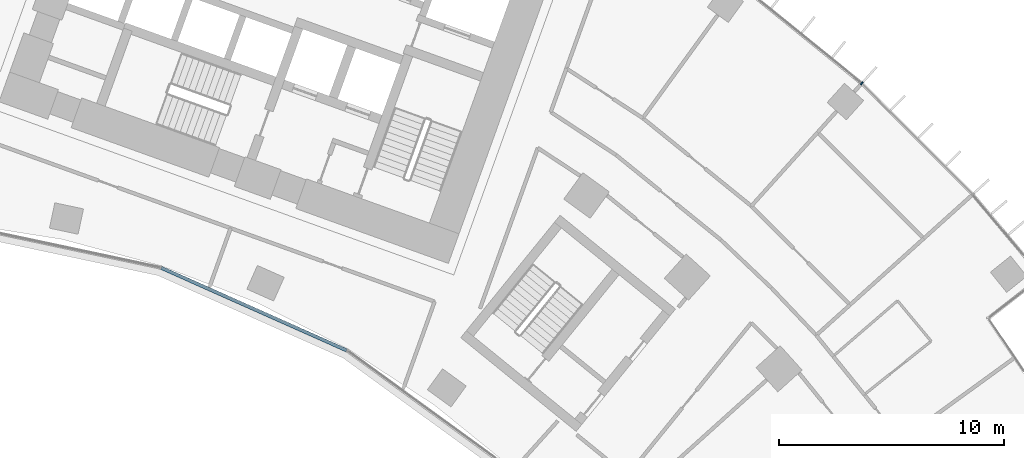
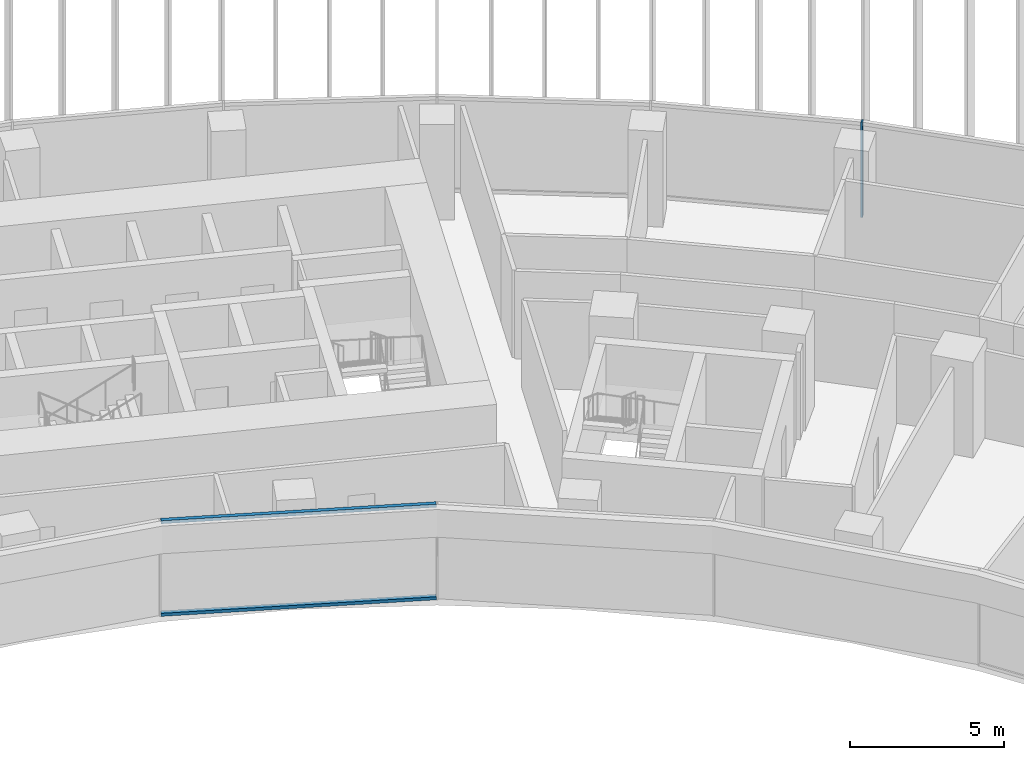
# One storey, part 9 of 22: 3 members, 2 elements without a shape of their own.
"""IFC4 building model written with IfcOpenShell, lengths in metres."""

from ifc_helpers import new_model, si_unit, direction, frame, origin, origin_2d, place, context, subcontext, project, spatial, rectangle, extrude, material, layer, layer_set, material_profile, profile_set, type_object, element, aggregate, save


model = new_model("IFC4")

# Units and contexts
model_context = context("Model", 3, precision=1e-05, world=origin(), true_north=direction((0.0, 1.0)))
body_context = subcontext(model_context, "Body", "Model", "MODEL_VIEW")
ifc_project = project(units=[si_unit("LENGTHUNIT", "METRE"), si_unit("AREAUNIT", "SQUARE_METRE"), si_unit("VOLUMEUNIT", "CUBIC_METRE"), si_unit("PLANEANGLEUNIT", "RADIAN"), si_unit("MASSUNIT", "GRAM", prefix="KILO")], contexts=[model_context])

# Site, building, storey
site_placement = place(None, origin())
site = spatial("IfcSite", under=ifc_project, at=site_placement, CompositionType="ELEMENT")
building_placement = place(site_placement, origin())
building = spatial("IfcBuilding", under=site, at=building_placement, Name="Stone Belt Terrace Tower", CompositionType="ELEMENT")
storey_placement = place(building_placement, frame((0.0, 0.0, 109.800048828125)))
storey = spatial("IfcBuildingStorey", under=building, at=storey_placement, Name="L26", CompositionType="ELEMENT", Elevation=109.800048828125)

# Curtain wall, member
ifc_material = material(Name="Aluminium 6063-T6 anodised frame", Category="aluminium")
ifc_layer_1 = layer(ifc_material, 0.14990234375)
ifc_layer_set_1 = layer_set([ifc_layer_1], Name="CW-A unitised convex-face curtain wall")
curtain_wall_type_1 = type_object("IfcCurtainWallType", Name="CW-A unitised convex-face curtain wall", PredefinedType="NOTDEFINED", material=ifc_layer_set_1)
curtain_wall_1_placement = place(storey_placement, origin())
curtain_wall_1 = element("IfcCurtainWall", 1, at=curtain_wall_1_placement, inside=storey, type_object=curtain_wall_type_1, Name="CW-A convex face L26", PredefinedType="NOTDEFINED")
ifc_material_profile_1 = material_profile(ifc_material, rectangle(XDim=0.14990234375, YDim=0.06005859375, at=origin_2d()), Name="Aluminium 6063-T6 60x150")
ifc_profile_set_1 = profile_set([ifc_material_profile_1], Name="Aluminium 6063-T6 anodised frame")
member_type_1 = type_object("IfcMemberType", Name="CW-A mullion 60 x 150", PredefinedType="MULLION", material=ifc_profile_set_1)
member_1_placement = place(storey_placement, frame((44.54736328125, 49.474853515625, 0.0), z_axis=(0.0, 0.0, 1.0), x_axis=(-0.669130606359, -0.743144825477, 0.0)))
member_1 = element("IfcMember", 2, at=member_1_placement, type_object=member_type_1, Name="CW-A mullion 3", PredefinedType="MULLION", context=body_context, shape_type="SweptSolid", body=[
    extrude(rectangle(XDim=0.14990234375, YDim=0.06005859375, at=origin_2d()), origin(), (0.0, 0.0, 1.0), 3.800048828125),
])
aggregate(curtain_wall_1, [member_1])

# Curtain wall, members
ifc_layer_2 = layer(ifc_material, 0.14990234375)
ifc_layer_set_2 = layer_set([ifc_layer_2], Name="CW-B unitised concave-face curtain wall")
curtain_wall_type_2 = type_object("IfcCurtainWallType", Name="CW-B unitised concave-face curtain wall", PredefinedType="NOTDEFINED", material=ifc_layer_set_2)
curtain_wall_2_placement = place(storey_placement, origin())
curtain_wall_2 = element("IfcCurtainWall", 3, at=curtain_wall_2_placement, inside=storey, type_object=curtain_wall_type_2, Name="CW-B concave face L26", PredefinedType="NOTDEFINED")
ifc_material_profile_2 = material_profile(ifc_material, rectangle(XDim=0.14990234375, YDim=0.1201171875, at=origin_2d()), Name="Aluminium 6063-T6 150x120")
ifc_profile_set_2 = profile_set([ifc_material_profile_2], Name="Aluminium 6063-T6 anodised frame")
member_type_2 = type_object("IfcMemberType", Name="CW-B transom 120 x 150", PredefinedType="USERDEFINED", material=ifc_profile_set_2)
member_2_placement = place(storey_placement, frame((13.44873046875, 41.285888671875, 0.06005859375), z_axis=(0.913548853737, -0.406729015237, 0.0), x_axis=(0.406729015237, 0.913548853737, 0.0)))
member_2 = element("IfcMember", 4, at=member_2_placement, type_object=member_type_2, Name="CW-B transom 7.1", ObjectType="TRANSOM", PredefinedType="USERDEFINED", context=body_context, shape_type="SweptSolid", body=[
    extrude(rectangle(XDim=0.14990234375, YDim=0.1201171875, at=origin_2d()), origin(), (0.0, 0.0, 1.0), 9.0126953125),
])
member_3_placement = place(storey_placement, frame((13.44873046875, 41.285888671875, 3.739990234375), z_axis=(0.913548853737, -0.406729015237, 0.0), x_axis=(0.406729015237, 0.913548853737, 0.0)))
member_3 = element("IfcMember", 5, at=member_3_placement, type_object=member_type_2, Name="CW-B transom 7.2", ObjectType="TRANSOM", PredefinedType="USERDEFINED", context=body_context, shape_type="SweptSolid", body=[
    extrude(rectangle(XDim=0.14990234375, YDim=0.1201171875, at=origin_2d()), origin(), (0.0, 0.0, 1.0), 9.0126953125),
])
aggregate(curtain_wall_2, [member_2, member_3])

save(model, "model.ifc")
